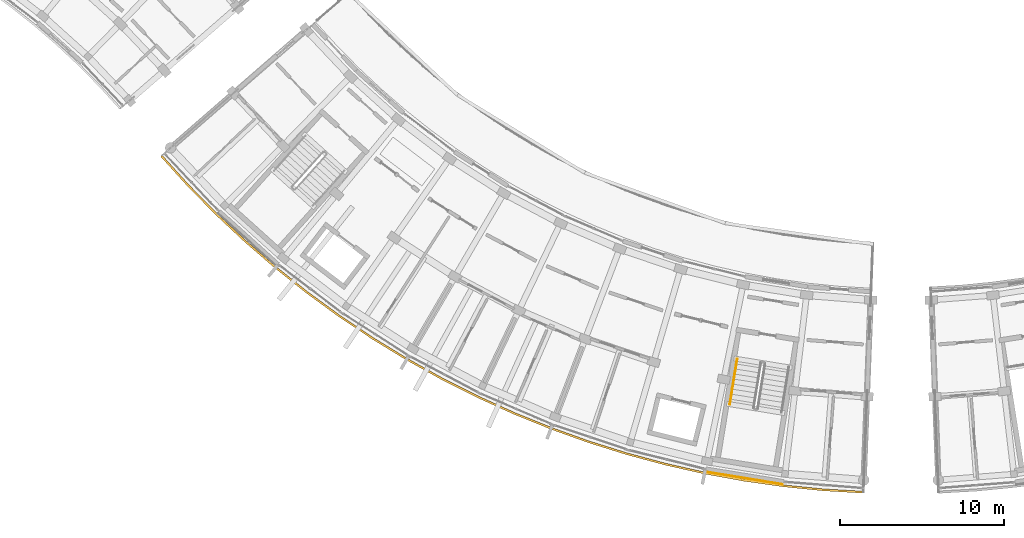
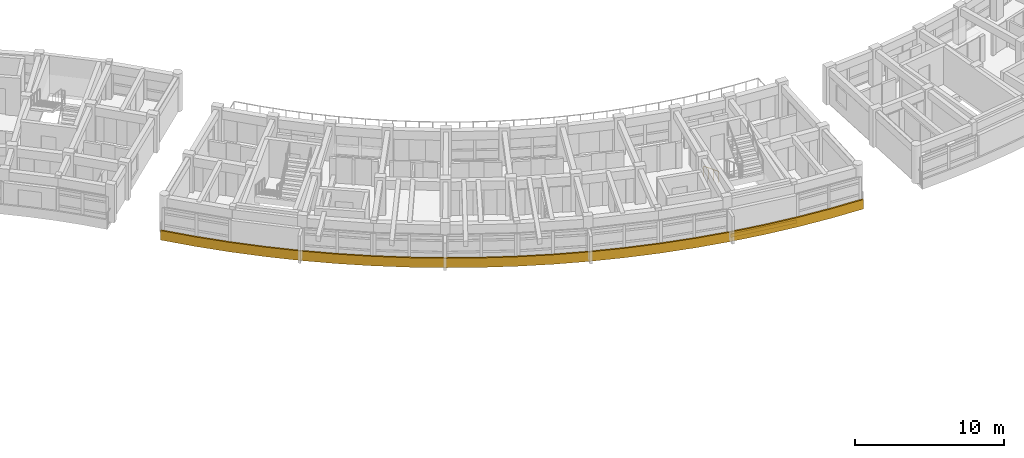
# One storey, part 48 of 54: 2 railings, 1 covering.
"""IFC4 building model written with IfcOpenShell, lengths in metres."""

import ifcopenshell
import ifcopenshell.guid

model = None  # the IFC model being written
_history = None  # IfcOwnerHistory: only IFC2X3 demands one
_inside = {}  # id of a spatial element -> (the spatial element, [elements in it])
_under = {}  # id of a project, library or spatial element -> (it, [spatial elements below it])
_declared = {}  # id of a project -> (the project, [libraries it declares])
_typed = {}  # id of a type object -> (the type object, [elements of that type])
_made_of = {}  # id of a material, layer set ... -> (it, [elements and type objects made of it])


def new_model(schema):
    """Start an empty IFC model of exactly this schema.

    Asked for "IFC4X3", IfcOpenShell would pick the latest addendum, in which some entities
    have other attributes; the version numbers below select the first issue.
    IFC2X3 requires an IfcOwnerHistory on every rooted entity: one is made here for all.
    """
    global model, _history
    if schema == "IFC4X3":
        model = ifcopenshell.file(schema_version=(4, 3, 0, 0))
    else:
        model = ifcopenshell.file(schema=schema)
    _inside.clear()
    _under.clear()
    _declared.clear()
    _typed.clear()
    _made_of.clear()
    _history = None
    if model.schema == "IFC2X3":
        org = make("IfcOrganization", Name="unknown")
        user = make(
            "IfcPersonAndOrganization",
            ThePerson=make("IfcPerson", FamilyName="unknown"),
            TheOrganization=org,
        )
        app = make(
            "IfcApplication",
            ApplicationDeveloper=org,
            Version="unknown",
            ApplicationFullName="unknown",
            ApplicationIdentifier="unknown",
        )
        _history = make(
            "IfcOwnerHistory",
            OwningUser=user,
            OwningApplication=app,
            ChangeAction="ADDED",
            CreationDate=0,
        )
    return model


def make(cls, **values):
    """One entity of the class cls with the attributes given. An attribute that is None is left unset."""
    return model.create_entity(
        cls, **{name: value for name, value in values.items() if value is not None}
    )


def rooted(cls, **values):
    """An entity with a GlobalId (a new one), such as an element, a storey or a relation."""
    return make(cls, GlobalId=ifcopenshell.guid.new(), OwnerHistory=_history, **values)


def si_unit(unit_type, name, prefix=None):
    """IfcSIUnit, for example si_unit("LENGTHUNIT", "METRE", prefix="MILLI")."""
    return make("IfcSIUnit", UnitType=unit_type, Prefix=prefix, Name=name)


def assignment(units):
    """IfcUnitAssignment: the units of a project."""
    return None if units is None else make("IfcUnitAssignment", Units=units)


def point(xyz):
    """IfcCartesianPoint."""
    return None if xyz is None else make("IfcCartesianPoint", Coordinates=xyz)


def direction(xyz):
    """IfcDirection."""
    return None if xyz is None else make("IfcDirection", DirectionRatios=xyz)


def frame(location, z_axis=None, x_axis=None):
    """IfcAxis2Placement3D, a coordinate frame: its origin and axes. An axis left out is left unset."""
    return make(
        "IfcAxis2Placement3D",
        Location=point(location),
        Axis=direction(z_axis),
        RefDirection=direction(x_axis),
    )


def frame_2d(location, x_axis=None):
    """IfcAxis2Placement2D, a coordinate frame in the plane: its origin and x axis."""
    return make(
        "IfcAxis2Placement2D", Location=point(location), RefDirection=direction(x_axis)
    )


def origin():
    """The frame at (0, 0, 0) with its axes left unset."""
    return frame((0.0, 0.0, 0.0))


def origin_2d():
    """The frame at (0, 0) in the plane with its x axis left unset."""
    return frame_2d((0.0, 0.0))


def place(relative_to, where):
    """IfcLocalPlacement: puts the frame where relative to a parent placement (None: the world)."""
    return make(
        "IfcLocalPlacement", PlacementRelTo=relative_to, RelativePlacement=where
    )


def context(
    kind, dimensions, precision=None, world=None, true_north=None, identifier=None
):
    """IfcGeometricRepresentationContext, for example the 3D "Model" context."""
    return make(
        "IfcGeometricRepresentationContext",
        ContextIdentifier=identifier,
        ContextType=kind,
        CoordinateSpaceDimension=dimensions,
        Precision=precision,
        WorldCoordinateSystem=world,
        TrueNorth=true_north,
    )


def subcontext(parent, identifier, kind, view, scale=None):
    """IfcGeometricRepresentationSubContext, for example "Body" below "Model"."""
    return make(
        "IfcGeometricRepresentationSubContext",
        ContextIdentifier=identifier,
        ContextType=kind,
        ParentContext=parent,
        TargetScale=scale,
        TargetView=view,
    )


def project(units=None, contexts=None):
    """IfcProject with its units and contexts."""
    return rooted(
        "IfcProject",
        Name="project",
        RepresentationContexts=contexts,
        UnitsInContext=assignment(units),
    )


def spatial(cls, under=None, at=None, **own):
    """A site, building, storey or space (cls), placed at a placement, below another one or the project."""
    s = rooted(cls, ObjectPlacement=at, **own)
    if under is not None:
        _under.setdefault(under.id(), (under, []))[1].append(s)
    return s


def polyline(points):
    """IfcPolyline through the points."""
    return make("IfcPolyline", Points=[point(p) for p in points])


def profile(cls, at=None, kind="AREA", **sizes):
    """A parametric profile (cls). Its sizes go by their IFC names, for example OverallWidth=200.0."""
    return make(cls, ProfileType=kind, Position=at, **sizes)


def rectangle(**sizes):
    """IfcRectangleProfileDef."""
    return profile("IfcRectangleProfileDef", **sizes)


def circle(**sizes):
    """IfcCircleProfileDef."""
    return profile("IfcCircleProfileDef", **sizes)


def outline(outer, holes=None, kind="AREA"):
    """IfcArbitraryClosedProfileDef: a profile drawn as a closed curve; with holes, ...WithVoids."""
    if holes is None:
        return make("IfcArbitraryClosedProfileDef", ProfileType=kind, OuterCurve=outer)
    return make(
        "IfcArbitraryProfileDefWithVoids",
        ProfileType=kind,
        OuterCurve=outer,
        InnerCurves=holes,
    )


def extrude(swept, where, along, depth):
    """IfcExtrudedAreaSolid: the profile swept, set in the frame where, extruded along a direction by depth."""
    return make(
        "IfcExtrudedAreaSolid",
        SweptArea=swept,
        Position=where,
        ExtrudedDirection=direction(along),
        Depth=depth,
    )


def shape(context_of_items, identifier, shape_type, items):
    """IfcShapeRepresentation: the items that make up one representation, for example the "Body"."""
    return make(
        "IfcShapeRepresentation",
        ContextOfItems=context_of_items,
        RepresentationIdentifier=identifier,
        RepresentationType=shape_type,
        Items=items,
    )


def material(Name=None, Category=None):
    """IfcMaterial."""
    return make("IfcMaterial", Name=Name, Category=Category)


def layer(
    of_material, thickness, ventilated=None, Name=None, Category=None, Priority=None
):
    """IfcMaterialLayer: one layer of a wall or slab, of a material (None: an air gap)."""
    return make(
        "IfcMaterialLayer",
        Material=of_material,
        LayerThickness=thickness,
        IsVentilated=ventilated,
        Name=Name,
        Category=Category,
        Priority=Priority,
    )


def layer_set(layers, Name=None):
    """IfcMaterialLayerSet."""
    return make("IfcMaterialLayerSet", MaterialLayers=layers, LayerSetName=Name)


def made_of(thing, what):
    """Note that an element or type object is made of a material, layer set ...; save() writes the relation."""
    if what is not None:
        _made_of.setdefault(what.id(), (what, []))[1].append(thing)
    return thing


def type_object(cls, material=None, **own):
    """A type object (cls), such as IfcWallType, which elements share."""
    return made_of(rooted(cls, **own), material)


def element(
    cls,
    number,
    at=None,
    inside=None,
    cuts=None,
    type_object=None,
    material=None,
    context=None,
    identifier="Body",
    shape_type=None,
    held_by="IfcProductDefinitionShape",
    body=None,
    shapes=None,
    **own,
):
    """One element of the class cls, such as IfcWall. Its Tag is "e" and its number.

    at: its placement. inside: the storey or other place that contains it. cuts: it is an
    opening in that element (IfcRelVoidsElement). A single representation is given by context,
    identifier, shape_type and body (its items); several are given by shapes. held_by: the class
    of the entity that holds the representations. save() writes the other relations.
    """
    e = rooted(cls, Tag="e%d" % number, ObjectPlacement=at, **own)
    if body is not None:
        shapes = [shape(context, identifier, shape_type, body)]
    if shapes is not None:
        e.Representation = make(held_by, Representations=shapes)
    if inside is not None:
        _inside.setdefault(inside.id(), (inside, []))[1].append(e)
    if cuts is not None:
        rooted(
            "IfcRelVoidsElement", RelatingBuildingElement=cuts, RelatedOpeningElement=e
        )
    if type_object is not None:
        _typed.setdefault(type_object.id(), (type_object, []))[1].append(e)
    return made_of(e, material)


def aggregate(whole, parts):
    """IfcRelAggregates: a whole, such as a stair, and the parts it consists of."""
    return rooted("IfcRelAggregates", RelatingObject=whole, RelatedObjects=parts)


def save(model, path):
    """Write the relations noted so far, then the file.

    IfcRelAggregates (storeys below a building ...), IfcRelContainedInSpatialStructure (elements
    in a storey), IfcRelDefinesByType, IfcRelAssociatesMaterial and IfcRelDeclares: one each for
    every whole, place, type object, material and project.
    """
    for whole, parts in _under.values():
        aggregate(whole, parts)
    for where, things in _inside.values():
        rooted(
            "IfcRelContainedInSpatialStructure",
            RelatedElements=things,
            RelatingStructure=where,
        )
    for kind, things in _typed.values():
        rooted("IfcRelDefinesByType", RelatedObjects=things, RelatingType=kind)
    for what, things in _made_of.values():
        rooted("IfcRelAssociatesMaterial", RelatedObjects=things, RelatingMaterial=what)
    for by, libraries in _declared.values():
        rooted("IfcRelDeclares", RelatingContext=by, RelatedDefinitions=libraries)
    model.write(path)


model = new_model("IFC4")

# Units and contexts
model_context = context("Model", 3, precision=1e-05, world=origin(), true_north=direction((0.0, 1.0)))
body_context = subcontext(model_context, "Body", "Model", "MODEL_VIEW")
ifc_project = project(units=[si_unit("LENGTHUNIT", "METRE"), si_unit("AREAUNIT", "SQUARE_METRE"), si_unit("VOLUMEUNIT", "CUBIC_METRE"), si_unit("PLANEANGLEUNIT", "RADIAN"), si_unit("MASSUNIT", "GRAM", prefix="KILO")], contexts=[model_context])

# Site, building, storey
site_placement = place(None, origin())
site = spatial("IfcSite", under=ifc_project, at=site_placement, CompositionType="ELEMENT")
building_placement = place(site_placement, origin())
building = spatial("IfcBuilding", under=site, at=building_placement, Name="Zimvara Arc Housing Community", CompositionType="ELEMENT")
storey_placement = place(building_placement, frame((0.0, 0.0, 23.60009765625)))
storey = spatial("IfcBuildingStorey", under=building, at=storey_placement, Name="L07", CompositionType="ELEMENT", Elevation=23.60009765625)

# Covering
ifc_material_1 = material(Name="Pale-Gold Anodised Aluminium Cladding", Category="aluminium")
ifc_layer = layer(ifc_material_1, 0.0400390625)
ifc_layer_set = layer_set([ifc_layer], Name="Pale-Gold Anodised Aluminium Cladding")
covering_type = type_object("IfcCoveringType", Name="CLD-GOLD-01", PredefinedType="CLADDING", material=ifc_layer_set)
covering_placement = place(storey_placement, frame((116.4482421875, 51.13916015625, 0.009765625), z_axis=(0.0, 0.0, 1.0), x_axis=(0.987080395872, -0.160225753504, 0.0)))
element("IfcCovering", 1, at=covering_placement, inside=storey, type_object=covering_type, Name="cld:blkC:L07:out:b8", PredefinedType="CLADDING", context=body_context, shape_type="SweptSolid", body=[
    extrude(rectangle(XDim=4.748779296875, YDim=0.0400390625, at=origin_2d()), origin(), (0.0, 0.0, 1.0), 0.300048828125),
])

# Railings
ifc_material_2 = material(Name="Pale-Gold Anodised Aluminium AW-6063", Category="aluminium")
railing_type_1 = type_object("IfcRailingType", Name="RLG-FAS-780", PredefinedType="BALUSTRADE", material=ifc_material_2)
railing_1_placement = place(storey_placement, frame((0.0, 0.0, -0.22021484375)))
element("IfcRailing", 2, at=railing_1_placement, inside=storey, type_object=railing_type_1, Name="rlg:blkC:L07:gold_out", PredefinedType="BALUSTRADE", context=body_context, shape_type="SweptSolid", body=[
    extrude(outline(polyline([(80.93896484375, 70.706298828125), (82.5751953125, 68.900146484375), (84.28369140625, 67.162109375), (86.061767578125, 65.4951171875), (87.906494140625, 63.90234375), (89.814697265625, 62.38623046875), (91.783203125, 60.94921875), (93.80859375, 59.59375), (95.8876953125, 58.322021484375), (98.01708984375, 57.136474609375), (100.193115234375, 56.03857421875), (102.412109375, 55.03076171875), (104.67041015625, 54.114013671875), (106.96435546875, 53.29052734375), (109.289794921875, 52.561279296875), (111.643310546875, 51.927734375), (114.0205078125, 51.390625), (116.417724609375, 50.950927734375), (118.830810546875, 50.60986328125), (121.256103515625, 50.3671875), (123.68896484375, 50.223876953125), (123.693603515625, 50.343994140625), (121.265625, 50.48681640625), (118.84521484375, 50.728759765625), (116.43701171875, 51.069580078125), (114.04443359375, 51.508056640625), (111.672119140625, 52.044189453125), (109.3232421875, 52.676513671875), (107.00244140625, 53.404296875), (104.71337890625, 54.226318359375), (102.45947265625, 55.140869140625), (100.244873046875, 56.14697265625), (98.0732421875, 57.242431640625), (95.9482421875, 58.42578125), (93.873291015625, 59.69482421875), (91.851806640625, 61.04736328125), (89.887451171875, 62.481689453125), (87.98291015625, 63.99462890625), (86.14208984375, 65.58447265625), (84.367431640625, 67.247802734375), (82.662353515625, 68.982421875), (81.029541015625, 70.78515625), (80.93896484375, 70.706298828125)])), origin(), (0.0, 0.0, 1.0), 0.780029296875),
])
ifc_material_3 = material(Name="Anodised Aluminium AW-6063", Category="aluminium")
railing_type_2 = type_object("IfcRailingType", Name="RLG-HND-900", PredefinedType="HANDRAIL", material=ifc_material_3)
railing_2_placement = place(storey_placement, frame((116.0146484375, 58.391845703125, 0.15478515625)))
element("IfcRailing", 3, at=railing_2_placement, inside=storey, type_object=railing_type_2, Name="L07 ST-C2 stair handrail 1", PredefinedType="HANDRAIL", context=body_context, shape_type="SweptSolid", body=[
    extrude(circle(Radius=0.02392578125, at=origin_2d()), frame((0.0, 0.0, 0.8759765625), z_axis=(-0.143299288836, -0.882883275458, 0.447193957625), x_axis=(0.987082674257, -0.160211716742, 0.0)), (0.0, 0.0, 1.0), 3.119384765625),
    extrude(circle(Radius=0.02099609375, at=origin_2d()), origin(), (0.0, 0.0, 1.0), 0.851806640625),
    extrude(circle(Radius=0.02099609375, at=origin_2d()), frame((-0.14892578125, -0.91796875, 0.465087890625)), (0.0, 0.0, 1.0), 0.851806640625),
    extrude(circle(Radius=0.02099609375, at=origin_2d()), frame((-0.298095703125, -1.836181640625, 0.929931640625)), (0.0, 0.0, 1.0), 0.851806640625),
    extrude(circle(Radius=0.02099609375, at=origin_2d()), frame((-0.447021484375, -2.754150390625, 1.39501953125)), (0.0, 0.0, 1.0), 0.851806640625),
])

save(model, "model.ifc")
